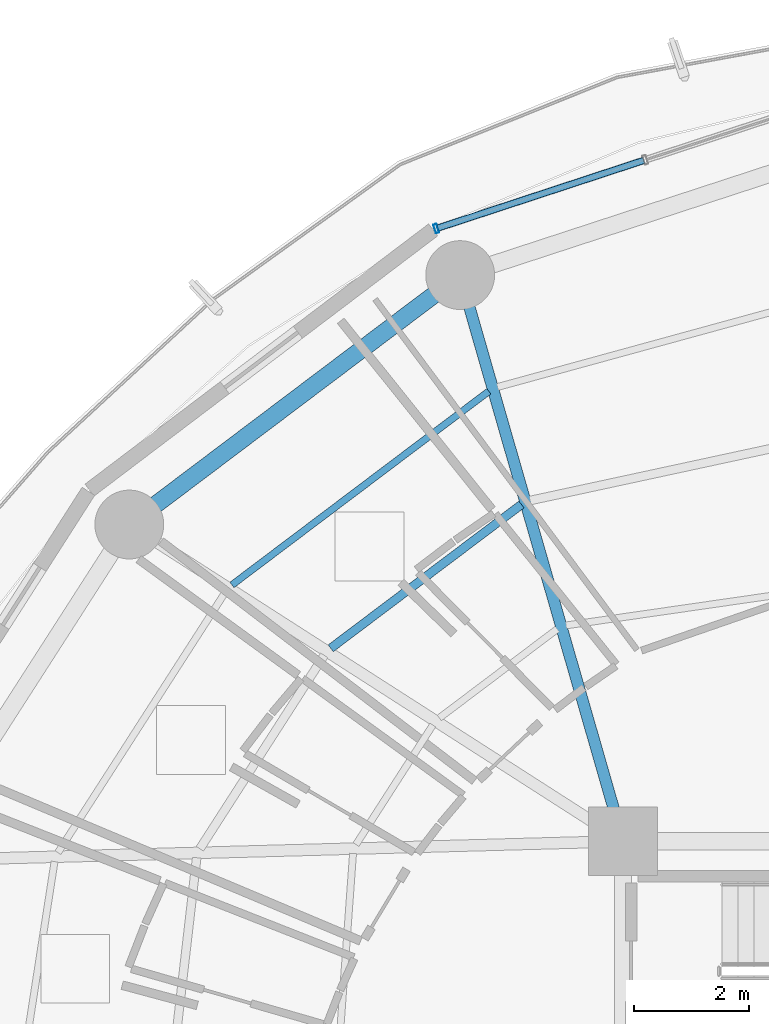
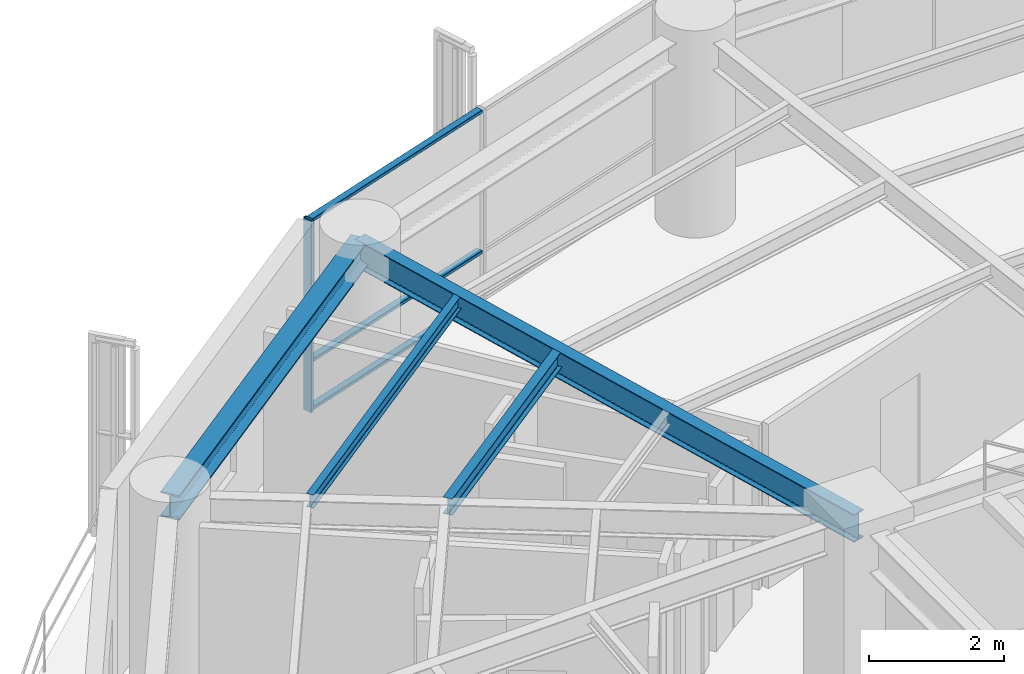
# One storey, part 16 of 27: 4 beams, 4 members, 1 element without a shape of its own.
"""IFC4 building model written with IfcOpenShell, lengths in metres."""

from ifc_helpers import new_model, si_unit, direction, frame, origin, origin_2d, place, context, subcontext, project, spatial, hollow_rectangle, i_section, extrude, material, layer, layer_set, material_profile, profile_set, type_object, element, aggregate, save


model = new_model("IFC4")

# Units and contexts
model_context = context("Model", 3, precision=1e-05, world=origin(), true_north=direction((0.0, 1.0)))
body_context = subcontext(model_context, "Body", "Model", "MODEL_VIEW")
ifc_project = project(units=[si_unit("LENGTHUNIT", "METRE"), si_unit("AREAUNIT", "SQUARE_METRE"), si_unit("VOLUMEUNIT", "CUBIC_METRE"), si_unit("PLANEANGLEUNIT", "RADIAN"), si_unit("MASSUNIT", "GRAM", prefix="KILO")], contexts=[model_context])

# Site, building, storey
site_placement = place(None, origin())
site = spatial("IfcSite", under=ifc_project, at=site_placement, CompositionType="ELEMENT")
building_placement = place(site_placement, origin())
building = spatial("IfcBuilding", under=site, at=building_placement, Name="Kelanora Arch Commons", CompositionType="ELEMENT")
storey_placement = place(building_placement, frame((0.0, 0.0, 169.35009765625)))
storey = spatial("IfcBuildingStorey", under=building, at=storey_placement, Name="L43", CompositionType="ELEMENT", Elevation=169.35009765625)

# Beams
ifc_material_1 = material(Name="Steel S355", Category="steel")
ifc_material_profile_1 = material_profile(ifc_material_1, i_section(OverallWidth=0.14990234375, OverallDepth=0.300048828125, WebThickness=0.007080078125, FlangeThickness=0.0107421875, FilletRadius=0.014892578125, at=origin_2d()), Name="IPE300")
ifc_profile_set_1 = profile_set([ifc_material_profile_1], Name="Steel S355")
beam_type_1 = type_object("IfcBeamType", Name="BM-JST-01", PredefinedType="JOIST", material=ifc_profile_set_1)
beam_1_placement = place(storey_placement, frame((64.22802734375, 70.870849609375, 3.33984375), z_axis=(-0.798463547891, -0.602043156833, 0.0), x_axis=(0.602043156833, -0.798463547891, 0.0)))
element("IfcBeam", 1, at=beam_1_placement, inside=storey, type_object=beam_type_1, Name="Secondary Chord Joist BJB-12 L43", PredefinedType="JOIST", context=body_context, shape_type="SweptSolid", body=[
    extrude(i_section(OverallWidth=0.14990234375, OverallDepth=0.300048828125, WebThickness=0.007080078125, FlangeThickness=0.0107421875, FilletRadius=0.014892578125, at=origin_2d()), origin(), (0.0, 0.0, 1.0), 4.163818359375),
])
ifc_material_profile_2 = material_profile(ifc_material_1, i_section(OverallWidth=0.1201171875, OverallDepth=0.239990234375, WebThickness=0.006103515625, FlangeThickness=0.009765625, FilletRadius=0.014892578125, at=origin_2d()), Name="IPE240")
ifc_profile_set_2 = profile_set([ifc_material_profile_2], Name="Steel S355")
beam_type_2 = type_object("IfcBeamType", Name="BM-JST-02", PredefinedType="JOIST", material=ifc_profile_set_2)
beam_2_placement = place(storey_placement, frame((63.66015625, 72.844970703125, 3.369873046875), z_axis=(-0.798493128577, -0.602003923256, 0.0), x_axis=(0.602003923256, -0.798493128577, 0.0)))
element("IfcBeam", 2, at=beam_2_placement, inside=storey, type_object=beam_type_2, Name="Secondary Chord Joist BJC-12 L43", PredefinedType="JOIST", context=body_context, shape_type="SweptSolid", body=[
    extrude(i_section(OverallWidth=0.1201171875, OverallDepth=0.239990234375, WebThickness=0.006103515625, FlangeThickness=0.009765625, FilletRadius=0.014892578125, at=origin_2d()), origin(), (0.0, 0.0, 1.0), 5.608642578125),
])
ifc_material_profile_3 = material_profile(ifc_material_1, i_section(OverallWidth=0.199951171875, OverallDepth=0.5, WebThickness=0.01025390625, FlangeThickness=0.01611328125, FilletRadius=0.02099609375, at=origin_2d()), Name="IPE500")
ifc_profile_set_3 = profile_set([ifc_material_profile_3], Name="Steel S355")
beam_type_3 = type_object("IfcBeamType", Name="BM-RAD-Z3", PredefinedType="BEAM", material=ifc_profile_set_3)
beam_3_placement = place(storey_placement, frame((66.0, 65.0, 3.239990234375), z_axis=(-0.276525880065, 0.961006471182, 0.0), x_axis=(-0.961006471182, -0.276525880065, 0.0)))
element("IfcBeam", 3, at=beam_3_placement, inside=storey, type_object=beam_type_3, Name="Radial Floor Girder BR-12 L43", PredefinedType="BEAM", context=body_context, shape_type="SweptSolid", body=[
    extrude(i_section(OverallWidth=0.199951171875, OverallDepth=0.5, WebThickness=0.01025390625, FlangeThickness=0.01611328125, FilletRadius=0.02099609375, at=origin_2d()), origin(), (0.0, 0.0, 1.0), 10.2705078125),
])
ifc_material_profile_4 = material_profile(ifc_material_1, i_section(OverallWidth=0.300048828125, OverallDepth=0.449951171875, WebThickness=0.013916015625, FlangeThickness=0.02587890625, FilletRadius=0.027099609375, at=origin_2d()), Name="HEB450")
ifc_profile_set_4 = profile_set([ifc_material_profile_4], Name="Steel S355")
beam_type_4 = type_object("IfcBeamType", Name="BM-SPN-Z3", PredefinedType="SPANDREL", material=ifc_profile_set_4)
beam_4_placement = place(storey_placement, frame((63.159912109375, 74.8701171875, 3.264892578125), z_axis=(-0.798484645564, -0.60201517489, 0.0), x_axis=(0.60201517489, -0.798484645564, 0.0)))
element("IfcBeam", 4, at=beam_4_placement, inside=storey, type_object=beam_type_4, Name="Perimeter Spandrel Beam BS-12 L43", PredefinedType="SPANDREL", context=body_context, shape_type="SweptSolid", body=[
    extrude(i_section(OverallWidth=0.300048828125, OverallDepth=0.449951171875, WebThickness=0.013916015625, FlangeThickness=0.02587890625, FilletRadius=0.027099609375, at=origin_2d()), origin(), (0.0, 0.0, 1.0), 7.223388671875),
])

# Curtain wall, members
ifc_material_2 = material(Name="Terracotta ceramic-fritted low-E glass and aluminium", Category="masonry")
ifc_layer = layer(ifc_material_2, 0.175048828125)
ifc_layer_set = layer_set([ifc_layer], Name="Terracotta ceramic-fritted low-E glass and aluminium")
curtain_wall_type = type_object("IfcCurtainWallType", Name="CW-SYS-02", PredefinedType="NOTDEFINED", material=ifc_layer_set)
curtain_wall_placement = place(storey_placement, origin())
curtain_wall = element("IfcCurtainWall", 5, at=curtain_wall_placement, inside=storey, type_object=curtain_wall_type, Name="Unitised Curtain Wall L43-B05", PredefinedType="NOTDEFINED")
ifc_material_3 = material(Name="Powder-coated aluminium terracotta", Category="masonry")
ifc_material_profile_5 = material_profile(ifc_material_3, hollow_rectangle(XDim=0.159912109375, YDim=0.06005859375, WallThickness=0.0048828125, InnerFilletRadius=0.0048828125, OuterFilletRadius=0.010009765625, at=origin_2d()), Name="CWM160x60")
ifc_profile_set_5 = profile_set([ifc_material_profile_5], Name="Powder-coated aluminium terracotta")
member_type_1 = type_object("IfcMemberType", Name="CWM-STD", PredefinedType="MULLION", material=ifc_profile_set_5)
member_1_placement = place(storey_placement, frame((62.742919921875, 75.680908203125, 0.0), z_axis=(0.0, 0.0, 1.0), x_axis=(0.312128279571, -0.95003996605, 0.0)))
member_1 = element("IfcMember", 6, at=member_1_placement, type_object=member_type_1, Name="CW-02 mullion 3", PredefinedType="MULLION", context=body_context, shape_type="SweptSolid", body=[
    extrude(hollow_rectangle(XDim=0.159912109375, YDim=0.06005859375, WallThickness=0.0048828125, InnerFilletRadius=0.0048828125, OuterFilletRadius=0.010009765625, at=origin_2d()), origin(), (0.0, 0.0, 1.0), 3.474853515625),
])
ifc_material_profile_6 = material_profile(ifc_material_3, hollow_rectangle(XDim=0.1201171875, YDim=0.06005859375, WallThickness=0.0048828125, InnerFilletRadius=0.0048828125, OuterFilletRadius=0.010009765625, at=origin_2d()), Name="CWT120x60")
ifc_profile_set_6 = profile_set([ifc_material_profile_6], Name="Powder-coated aluminium terracotta")
member_type_2 = type_object("IfcMemberType", Name="CWT-STD", PredefinedType="USERDEFINED", material=ifc_profile_set_6)
member_2_placement = place(storey_placement, frame((66.359375, 76.869140625, 0.02978515625), z_axis=(-0.950051191155, -0.312094111104, 0.0), x_axis=(0.312094111104, -0.950051191155, 0.0)))
member_2 = element("IfcMember", 7, at=member_2_placement, type_object=member_type_2, Name="CW-02 transom 2.1", ObjectType="TRANSOM", PredefinedType="USERDEFINED", context=body_context, shape_type="SweptSolid", body=[
    extrude(hollow_rectangle(XDim=0.1201171875, YDim=0.06005859375, WallThickness=0.0048828125, InnerFilletRadius=0.0048828125, OuterFilletRadius=0.010009765625, at=origin_2d()), origin(), (0.0, 0.0, 1.0), 3.77685546875),
])
member_3_placement = place(storey_placement, frame((66.359375, 76.869140625, 0.89990234375), z_axis=(-0.950051191155, -0.312094111104, 0.0), x_axis=(0.312094111104, -0.950051191155, 0.0)))
member_3 = element("IfcMember", 8, at=member_3_placement, type_object=member_type_2, Name="CW-02 transom 2.2", ObjectType="TRANSOM", PredefinedType="USERDEFINED", context=body_context, shape_type="SweptSolid", body=[
    extrude(hollow_rectangle(XDim=0.1201171875, YDim=0.06005859375, WallThickness=0.0048828125, InnerFilletRadius=0.0048828125, OuterFilletRadius=0.010009765625, at=origin_2d()), origin(), (0.0, 0.0, 1.0), 3.77685546875),
])
member_4_placement = place(storey_placement, frame((66.359375, 76.869140625, 3.44482421875), z_axis=(-0.950051191155, -0.312094111104, 0.0), x_axis=(0.312094111104, -0.950051191155, 0.0)))
member_4 = element("IfcMember", 9, at=member_4_placement, type_object=member_type_2, Name="CW-02 transom 2.3", ObjectType="TRANSOM", PredefinedType="USERDEFINED", context=body_context, shape_type="SweptSolid", body=[
    extrude(hollow_rectangle(XDim=0.1201171875, YDim=0.06005859375, WallThickness=0.0048828125, InnerFilletRadius=0.0048828125, OuterFilletRadius=0.010009765625, at=origin_2d()), origin(), (0.0, 0.0, 1.0), 3.77685546875),
])
aggregate(curtain_wall, [member_1, member_2, member_3, member_4])

save(model, "model.ifc")
